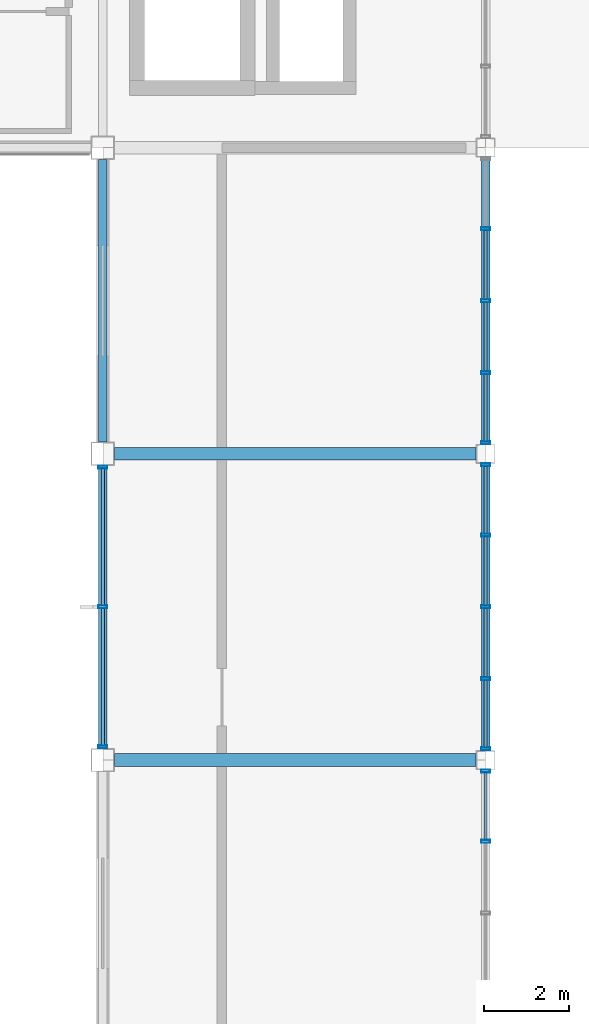
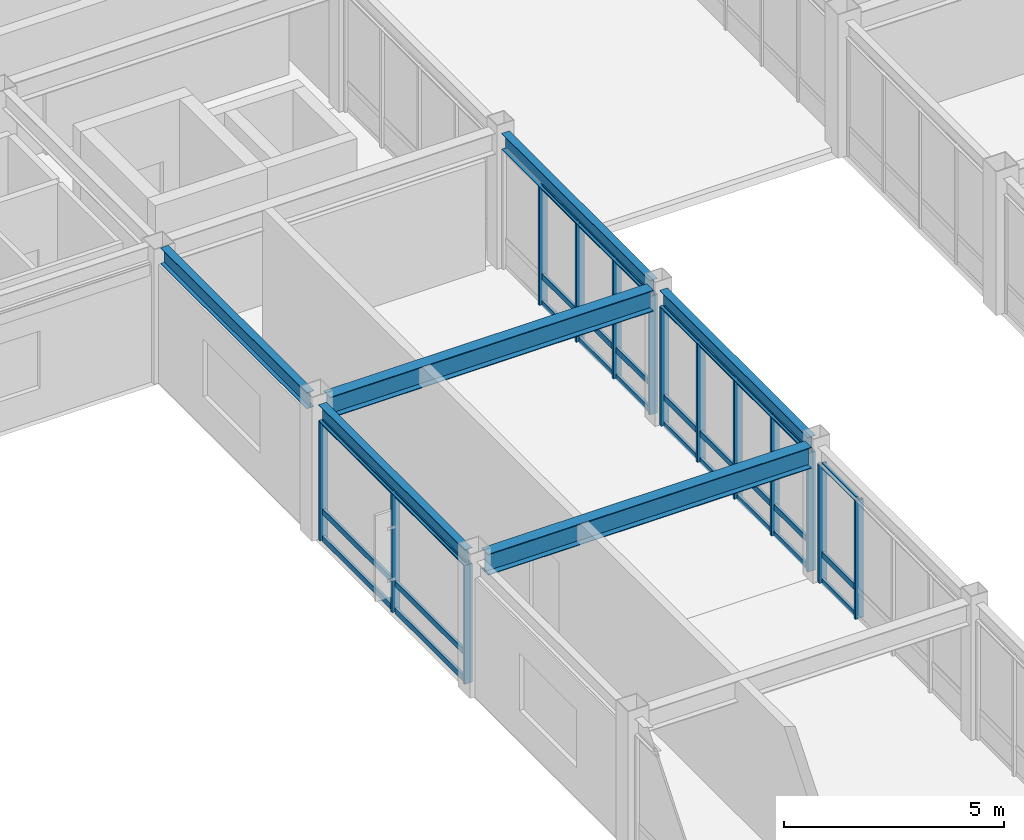
# One storey, part 49 of 113: 44 members, 6 beams, 4 elements without a shape of their own.
"""IFC4 building model written with IfcOpenShell, lengths in metres."""

import ifcopenshell
import ifcopenshell.guid

model = None  # the IFC model being written
_history = None  # IfcOwnerHistory: only IFC2X3 demands one
_inside = {}  # id of a spatial element -> (the spatial element, [elements in it])
_under = {}  # id of a project, library or spatial element -> (it, [spatial elements below it])
_declared = {}  # id of a project -> (the project, [libraries it declares])
_typed = {}  # id of a type object -> (the type object, [elements of that type])
_made_of = {}  # id of a material, layer set ... -> (it, [elements and type objects made of it])


def new_model(schema):
    """Start an empty IFC model of exactly this schema.

    Asked for "IFC4X3", IfcOpenShell would pick the latest addendum, in which some entities
    have other attributes; the version numbers below select the first issue.
    IFC2X3 requires an IfcOwnerHistory on every rooted entity: one is made here for all.
    """
    global model, _history
    if schema == "IFC4X3":
        model = ifcopenshell.file(schema_version=(4, 3, 0, 0))
    else:
        model = ifcopenshell.file(schema=schema)
    _inside.clear()
    _under.clear()
    _declared.clear()
    _typed.clear()
    _made_of.clear()
    _history = None
    if model.schema == "IFC2X3":
        org = make("IfcOrganization", Name="unknown")
        user = make(
            "IfcPersonAndOrganization",
            ThePerson=make("IfcPerson", FamilyName="unknown"),
            TheOrganization=org,
        )
        app = make(
            "IfcApplication",
            ApplicationDeveloper=org,
            Version="unknown",
            ApplicationFullName="unknown",
            ApplicationIdentifier="unknown",
        )
        _history = make(
            "IfcOwnerHistory",
            OwningUser=user,
            OwningApplication=app,
            ChangeAction="ADDED",
            CreationDate=0,
        )
    return model


def make(cls, **values):
    """One entity of the class cls with the attributes given. An attribute that is None is left unset."""
    return model.create_entity(
        cls, **{name: value for name, value in values.items() if value is not None}
    )


def rooted(cls, **values):
    """An entity with a GlobalId (a new one), such as an element, a storey or a relation."""
    return make(cls, GlobalId=ifcopenshell.guid.new(), OwnerHistory=_history, **values)


def si_unit(unit_type, name, prefix=None):
    """IfcSIUnit, for example si_unit("LENGTHUNIT", "METRE", prefix="MILLI")."""
    return make("IfcSIUnit", UnitType=unit_type, Prefix=prefix, Name=name)


def assignment(units):
    """IfcUnitAssignment: the units of a project."""
    return None if units is None else make("IfcUnitAssignment", Units=units)


def point(xyz):
    """IfcCartesianPoint."""
    return None if xyz is None else make("IfcCartesianPoint", Coordinates=xyz)


def direction(xyz):
    """IfcDirection."""
    return None if xyz is None else make("IfcDirection", DirectionRatios=xyz)


def frame(location, z_axis=None, x_axis=None):
    """IfcAxis2Placement3D, a coordinate frame: its origin and axes. An axis left out is left unset."""
    return make(
        "IfcAxis2Placement3D",
        Location=point(location),
        Axis=direction(z_axis),
        RefDirection=direction(x_axis),
    )


def frame_2d(location, x_axis=None):
    """IfcAxis2Placement2D, a coordinate frame in the plane: its origin and x axis."""
    return make(
        "IfcAxis2Placement2D", Location=point(location), RefDirection=direction(x_axis)
    )


def origin():
    """The frame at (0, 0, 0) with its axes left unset."""
    return frame((0.0, 0.0, 0.0))


def origin_2d():
    """The frame at (0, 0) in the plane with its x axis left unset."""
    return frame_2d((0.0, 0.0))


def place(relative_to, where):
    """IfcLocalPlacement: puts the frame where relative to a parent placement (None: the world)."""
    return make(
        "IfcLocalPlacement", PlacementRelTo=relative_to, RelativePlacement=where
    )


def context(
    kind, dimensions, precision=None, world=None, true_north=None, identifier=None
):
    """IfcGeometricRepresentationContext, for example the 3D "Model" context."""
    return make(
        "IfcGeometricRepresentationContext",
        ContextIdentifier=identifier,
        ContextType=kind,
        CoordinateSpaceDimension=dimensions,
        Precision=precision,
        WorldCoordinateSystem=world,
        TrueNorth=true_north,
    )


def subcontext(parent, identifier, kind, view, scale=None):
    """IfcGeometricRepresentationSubContext, for example "Body" below "Model"."""
    return make(
        "IfcGeometricRepresentationSubContext",
        ContextIdentifier=identifier,
        ContextType=kind,
        ParentContext=parent,
        TargetScale=scale,
        TargetView=view,
    )


def project(units=None, contexts=None):
    """IfcProject with its units and contexts."""
    return rooted(
        "IfcProject",
        Name="project",
        RepresentationContexts=contexts,
        UnitsInContext=assignment(units),
    )


def spatial(cls, under=None, at=None, **own):
    """A site, building, storey or space (cls), placed at a placement, below another one or the project."""
    s = rooted(cls, ObjectPlacement=at, **own)
    if under is not None:
        _under.setdefault(under.id(), (under, []))[1].append(s)
    return s


def profile(cls, at=None, kind="AREA", **sizes):
    """A parametric profile (cls). Its sizes go by their IFC names, for example OverallWidth=200.0."""
    return make(cls, ProfileType=kind, Position=at, **sizes)


def hollow_rectangle(**sizes):
    """IfcRectangleHollowProfileDef."""
    return profile("IfcRectangleHollowProfileDef", **sizes)


def i_section(**sizes):
    """IfcIShapeProfileDef."""
    return profile("IfcIShapeProfileDef", **sizes)


def extrude(swept, where, along, depth):
    """IfcExtrudedAreaSolid: the profile swept, set in the frame where, extruded along a direction by depth."""
    return make(
        "IfcExtrudedAreaSolid",
        SweptArea=swept,
        Position=where,
        ExtrudedDirection=direction(along),
        Depth=depth,
    )


def shape(context_of_items, identifier, shape_type, items):
    """IfcShapeRepresentation: the items that make up one representation, for example the "Body"."""
    return make(
        "IfcShapeRepresentation",
        ContextOfItems=context_of_items,
        RepresentationIdentifier=identifier,
        RepresentationType=shape_type,
        Items=items,
    )


def material(Name=None, Category=None):
    """IfcMaterial."""
    return make("IfcMaterial", Name=Name, Category=Category)


def material_profile(
    of_material, cross_section, Name=None, Category=None, Priority=None
):
    """IfcMaterialProfile: a cross section and its material."""
    return make(
        "IfcMaterialProfile",
        Name=Name,
        Material=of_material,
        Profile=cross_section,
        Priority=Priority,
        Category=Category,
    )


def profile_set(profiles, Name=None, composite=None):
    """IfcMaterialProfileSet."""
    return make(
        "IfcMaterialProfileSet",
        Name=Name,
        MaterialProfiles=profiles,
        CompositeProfile=composite,
    )


def made_of(thing, what):
    """Note that an element or type object is made of a material, layer set ...; save() writes the relation."""
    if what is not None:
        _made_of.setdefault(what.id(), (what, []))[1].append(thing)
    return thing


def type_object(cls, material=None, **own):
    """A type object (cls), such as IfcWallType, which elements share."""
    return made_of(rooted(cls, **own), material)


def element(
    cls,
    number,
    at=None,
    inside=None,
    cuts=None,
    type_object=None,
    material=None,
    context=None,
    identifier="Body",
    shape_type=None,
    held_by="IfcProductDefinitionShape",
    body=None,
    shapes=None,
    **own,
):
    """One element of the class cls, such as IfcWall. Its Tag is "e" and its number.

    at: its placement. inside: the storey or other place that contains it. cuts: it is an
    opening in that element (IfcRelVoidsElement). A single representation is given by context,
    identifier, shape_type and body (its items); several are given by shapes. held_by: the class
    of the entity that holds the representations. save() writes the other relations.
    """
    e = rooted(cls, Tag="e%d" % number, ObjectPlacement=at, **own)
    if body is not None:
        shapes = [shape(context, identifier, shape_type, body)]
    if shapes is not None:
        e.Representation = make(held_by, Representations=shapes)
    if inside is not None:
        _inside.setdefault(inside.id(), (inside, []))[1].append(e)
    if cuts is not None:
        rooted(
            "IfcRelVoidsElement", RelatingBuildingElement=cuts, RelatedOpeningElement=e
        )
    if type_object is not None:
        _typed.setdefault(type_object.id(), (type_object, []))[1].append(e)
    return made_of(e, material)


def aggregate(whole, parts):
    """IfcRelAggregates: a whole, such as a stair, and the parts it consists of."""
    return rooted("IfcRelAggregates", RelatingObject=whole, RelatedObjects=parts)


def save(model, path):
    """Write the relations noted so far, then the file.

    IfcRelAggregates (storeys below a building ...), IfcRelContainedInSpatialStructure (elements
    in a storey), IfcRelDefinesByType, IfcRelAssociatesMaterial and IfcRelDeclares: one each for
    every whole, place, type object, material and project.
    """
    for whole, parts in _under.values():
        aggregate(whole, parts)
    for where, things in _inside.values():
        rooted(
            "IfcRelContainedInSpatialStructure",
            RelatedElements=things,
            RelatingStructure=where,
        )
    for kind, things in _typed.values():
        rooted("IfcRelDefinesByType", RelatedObjects=things, RelatingType=kind)
    for what, things in _made_of.values():
        rooted("IfcRelAssociatesMaterial", RelatedObjects=things, RelatingMaterial=what)
    for by, libraries in _declared.values():
        rooted("IfcRelDeclares", RelatingContext=by, RelatedDefinitions=libraries)
    model.write(path)


model = new_model("IFC4")

# Units and contexts
model_context = context("Model", 3, precision=1e-05, world=origin(), true_north=direction((0.0, 1.0)))
body_context = subcontext(model_context, "Body", "Model", "MODEL_VIEW")
ifc_project = project(units=[si_unit("LENGTHUNIT", "METRE"), si_unit("AREAUNIT", "SQUARE_METRE"), si_unit("VOLUMEUNIT", "CUBIC_METRE"), si_unit("PLANEANGLEUNIT", "RADIAN"), si_unit("MASSUNIT", "GRAM", prefix="KILO")], contexts=[model_context])

# Site, building, storey
site_placement = place(None, origin())
site = spatial("IfcSite", under=ifc_project, at=site_placement, CompositionType="ELEMENT")
building_placement = place(site_placement, origin())
building = spatial("IfcBuilding", under=site, at=building_placement, Name="Kazanami Central Library", CompositionType="ELEMENT")
storey_placement = place(building_placement, frame((0.0, 0.0, 8.800048828125)))
storey = spatial("IfcBuildingStorey", under=building, at=storey_placement, Name="L03", CompositionType="ELEMENT", Elevation=8.800048828125)

# Beams
ifc_material_1 = material(Name="Steel SN490B (325 MPa)", Category="steel")
ifc_material_profile_1 = material_profile(ifc_material_1, i_section(OverallWidth=0.300048828125, OverallDepth=0.587890625, WebThickness=0.011962890625, FlangeThickness=0.02001953125, at=origin_2d()), Name="H-588x300x12x20")
ifc_profile_set_1 = profile_set([ifc_material_profile_1], Name="Steel SN490B (325 MPa)")
beam_type_1 = type_object("IfcBeamType", Name="BM-G-X2", PredefinedType="BEAM", material=ifc_profile_set_1)
for number, where, z_axis, x_axis, name in (
    (1, (99.27294921875, 50.39990234375, 3.450927734375), (1.0, 0.0, 0.0), (0.0, 1.0, 0.0), "Girder G-X2 L03 H/12-13"),
    (2, (99.27294921875, 57.60009765625, 3.450927734375), (1.0, 0.0, 0.0), (0.0, 1.0, 0.0), "Girder G-X2 L03 J/12-13"),
):
    element("IfcBeam", number, at=place(storey_placement, frame(where, z_axis=z_axis, x_axis=x_axis)), inside=storey, type_object=beam_type_1, Name=name, PredefinedType="BEAM", context=body_context, shape_type="SweptSolid", body=[
        extrude(i_section(OverallWidth=0.300048828125, OverallDepth=0.587890625, WebThickness=0.011962890625, FlangeThickness=0.02001953125, at=origin_2d()), origin(), (0.0, 0.0, 1.0), 8.504150390625),
    ])
ifc_material_profile_2 = material_profile(ifc_material_1, i_section(OverallWidth=0.199951171875, OverallDepth=0.449951171875, WebThickness=0.009033203125, FlangeThickness=0.013916015625, at=origin_2d()), Name="H-450x200x9x14")
ifc_profile_set_2 = profile_set([ifc_material_profile_2], Name="Steel SN490B (325 MPa)")
beam_type_2 = type_object("IfcBeamType", Name="BM-SP-2", PredefinedType="SPANDREL", material=ifc_profile_set_2)
beam_1_placement = place(storey_placement, frame((99.0, 50.673095703125, 3.52001953125), z_axis=(0.0, 1.0, 0.0), x_axis=(-1.0, 0.0, 0.0)))
element("IfcBeam", 3, at=beam_1_placement, inside=storey, type_object=beam_type_2, Name="Girder SP-2 L03 12/H-J", PredefinedType="SPANDREL", context=body_context, shape_type="SweptSolid", body=[
    extrude(i_section(OverallWidth=0.199951171875, OverallDepth=0.449951171875, WebThickness=0.009033203125, FlangeThickness=0.013916015625, at=origin_2d()), origin(), (0.0, 0.0, 1.0), 6.65380859375),
])
beam_2_placement = place(storey_placement, frame((99.0, 57.873046875, 3.52001953125), z_axis=(0.0, 1.0, 0.0), x_axis=(-1.0, 0.0, 0.0)))
element("IfcBeam", 4, at=beam_2_placement, inside=storey, type_object=beam_type_2, Name="Girder SP-2 L03 12/J-K", PredefinedType="SPANDREL", context=body_context, shape_type="SweptSolid", body=[
    extrude(i_section(OverallWidth=0.199951171875, OverallDepth=0.449951171875, WebThickness=0.009033203125, FlangeThickness=0.013916015625, at=origin_2d()), origin(), (0.0, 0.0, 1.0), 6.654052734375),
])
for number, where, z_axis, x_axis, name in (
    (5, (108.0, 50.623046875, 3.52001953125), (0.0, 1.0, 0.0), (-1.0, 0.0, 0.0), "Girder SP-2 L03 13/H-J"),
    (6, (108.0, 57.822998046875, 3.52001953125), (0.0, 1.0, 0.0), (-1.0, 0.0, 0.0), "Girder SP-2 L03 13/J-K"),
):
    element("IfcBeam", number, at=place(storey_placement, frame(where, z_axis=z_axis, x_axis=x_axis)), inside=storey, type_object=beam_type_2, Name=name, PredefinedType="SPANDREL", context=body_context, shape_type="SweptSolid", body=[
        extrude(i_section(OverallWidth=0.199951171875, OverallDepth=0.449951171875, WebThickness=0.009033203125, FlangeThickness=0.013916015625, at=origin_2d()), origin(), (0.0, 0.0, 1.0), 6.75390625),
    ])

# Curtain wall, members
ifc_material_2 = material(Name="Acid-Etched Low-E Laminated Glass", Category="glass")
curtain_wall_type_1 = type_object("IfcCurtainWallType", Name="CW-6650x3295-M275", PredefinedType="USERDEFINED", material=ifc_material_2)
curtain_wall_1_placement = place(storey_placement, origin())
curtain_wall_1 = element("IfcCurtainWall", 7, at=curtain_wall_1_placement, inside=storey, type_object=curtain_wall_type_1, Name="Unitised Curtain Wall CW-35 L03 W-12-07", ObjectType="UNITISED CURTAIN WALL", PredefinedType="USERDEFINED")
ifc_material_3 = material(Name="Anodised Aluminium A6063-T5", Category="aluminium")
ifc_material_profile_3 = material_profile(ifc_material_3, hollow_rectangle(XDim=0.070068359375, YDim=0.2099609375, WallThickness=0.0048828125, at=origin_2d()), Name="ALU-MULL-70x210x5")
ifc_profile_set_3 = profile_set([ifc_material_profile_3], Name="Anodised Aluminium A6063-T5")
member_type_1 = type_object("IfcMemberType", Name="MEM-CW-M1", PredefinedType="MULLION", material=ifc_profile_set_3)
member_1_placement = place(storey_placement, frame((99.0, 50.7099609375, 0.0), z_axis=(0.0, 0.0, 1.0), x_axis=(0.0, 1.0, 0.0)))
member_1 = element("IfcMember", 8, at=member_1_placement, type_object=member_type_1, Name="CW-35 mullion 1", PredefinedType="MULLION", context=body_context, shape_type="SweptSolid", body=[
    extrude(hollow_rectangle(XDim=0.070068359375, YDim=0.2099609375, WallThickness=0.0048828125, at=origin_2d()), origin(), (0.0, 0.0, 1.0), 3.294921875),
])
member_2_placement = place(storey_placement, frame((99.0, 54.0, 0.0), z_axis=(0.0, 0.0, 1.0), x_axis=(0.0, 1.0, 0.0)))
member_2 = element("IfcMember", 9, at=member_2_placement, type_object=member_type_1, Name="CW-35 mullion 2", PredefinedType="MULLION", context=body_context, shape_type="SweptSolid", body=[
    extrude(hollow_rectangle(XDim=0.070068359375, YDim=0.2099609375, WallThickness=0.0048828125, at=origin_2d()), origin(), (0.0, 0.0, 1.0), 3.294921875),
])
member_3_placement = place(storey_placement, frame((99.0, 57.2900390625, 0.0), z_axis=(0.0, 0.0, 1.0), x_axis=(0.0, 1.0, 0.0)))
member_3 = element("IfcMember", 10, at=member_3_placement, type_object=member_type_1, Name="CW-35 mullion 3", PredefinedType="MULLION", context=body_context, shape_type="SweptSolid", body=[
    extrude(hollow_rectangle(XDim=0.070068359375, YDim=0.2099609375, WallThickness=0.0048828125, at=origin_2d()), origin(), (0.0, 0.0, 1.0), 3.294921875),
])

curtain_wall_type_2 = type_object("IfcCurtainWallType", Name="CW-6750x3295-M180", PredefinedType="USERDEFINED", material=ifc_material_2)
curtain_wall_2_placement = place(storey_placement, origin())
curtain_wall_2 = element("IfcCurtainWall", 11, at=curtain_wall_2_placement, inside=storey, type_object=curtain_wall_type_2, Name="Covered Link Bridge Curtain Wall CW-32 L03 E-13-06", ObjectType="UNITISED CURTAIN WALL", PredefinedType="USERDEFINED")
member_4_placement = place(storey_placement, frame((108.0, 50.139892578125, 0.0), z_axis=(0.0, 0.0, 1.0), x_axis=(0.0, -1.0, 0.0)))
member_4 = element("IfcMember", 12, at=member_4_placement, type_object=member_type_1, Name="CW-32 mullion 1", PredefinedType="MULLION", context=body_context, shape_type="SweptSolid", body=[
    extrude(hollow_rectangle(XDim=0.070068359375, YDim=0.2099609375, WallThickness=0.0048828125, at=origin_2d()), origin(), (0.0, 0.0, 1.0), 3.294921875),
])
member_5_placement = place(storey_placement, frame((108.0, 48.487548828125, 0.0), z_axis=(0.0, 0.0, 1.0), x_axis=(0.0, -1.0, 0.0)))
member_5 = element("IfcMember", 13, at=member_5_placement, type_object=member_type_1, Name="CW-32 mullion 2", PredefinedType="MULLION", context=body_context, shape_type="SweptSolid", body=[
    extrude(hollow_rectangle(XDim=0.070068359375, YDim=0.2099609375, WallThickness=0.0048828125, at=origin_2d()), origin(), (0.0, 0.0, 1.0), 3.294921875),
])

curtain_wall_3_placement = place(storey_placement, origin())
curtain_wall_3 = element("IfcCurtainWall", 14, at=curtain_wall_3_placement, inside=storey, type_object=curtain_wall_type_2, Name="Covered Link Bridge Curtain Wall CW-32 L03 E-13-07", ObjectType="UNITISED CURTAIN WALL", PredefinedType="USERDEFINED")
member_6_placement = place(storey_placement, frame((108.0, 57.340087890625, 0.0), z_axis=(0.0, 0.0, 1.0), x_axis=(0.0, -1.0, 0.0)))
member_6 = element("IfcMember", 15, at=member_6_placement, type_object=member_type_1, Name="CW-32 mullion 1", PredefinedType="MULLION", context=body_context, shape_type="SweptSolid", body=[
    extrude(hollow_rectangle(XDim=0.070068359375, YDim=0.2099609375, WallThickness=0.0048828125, at=origin_2d()), origin(), (0.0, 0.0, 1.0), 3.294921875),
])
member_7_placement = place(storey_placement, frame((108.0, 55.6875, 0.0), z_axis=(0.0, 0.0, 1.0), x_axis=(0.0, -1.0, 0.0)))
member_7 = element("IfcMember", 16, at=member_7_placement, type_object=member_type_1, Name="CW-32 mullion 2", PredefinedType="MULLION", context=body_context, shape_type="SweptSolid", body=[
    extrude(hollow_rectangle(XDim=0.070068359375, YDim=0.2099609375, WallThickness=0.0048828125, at=origin_2d()), origin(), (0.0, 0.0, 1.0), 3.294921875),
])
member_8_placement = place(storey_placement, frame((108.0, 54.0, 0.0), z_axis=(0.0, 0.0, 1.0), x_axis=(0.0, -1.0, 0.0)))
member_8 = element("IfcMember", 17, at=member_8_placement, type_object=member_type_1, Name="CW-32 mullion 3", PredefinedType="MULLION", context=body_context, shape_type="SweptSolid", body=[
    extrude(hollow_rectangle(XDim=0.070068359375, YDim=0.2099609375, WallThickness=0.0048828125, at=origin_2d()), origin(), (0.0, 0.0, 1.0), 3.294921875),
])
member_9_placement = place(storey_placement, frame((108.0, 52.3125, 0.0), z_axis=(0.0, 0.0, 1.0), x_axis=(0.0, -1.0, 0.0)))
member_9 = element("IfcMember", 18, at=member_9_placement, type_object=member_type_1, Name="CW-32 mullion 4", PredefinedType="MULLION", context=body_context, shape_type="SweptSolid", body=[
    extrude(hollow_rectangle(XDim=0.070068359375, YDim=0.2099609375, WallThickness=0.0048828125, at=origin_2d()), origin(), (0.0, 0.0, 1.0), 3.294921875),
])
member_10_placement = place(storey_placement, frame((108.0, 50.659912109375, 0.0), z_axis=(0.0, 0.0, 1.0), x_axis=(0.0, -1.0, 0.0)))
member_10 = element("IfcMember", 19, at=member_10_placement, type_object=member_type_1, Name="CW-32 mullion 5", PredefinedType="MULLION", context=body_context, shape_type="SweptSolid", body=[
    extrude(hollow_rectangle(XDim=0.070068359375, YDim=0.2099609375, WallThickness=0.0048828125, at=origin_2d()), origin(), (0.0, 0.0, 1.0), 3.294921875),
])

curtain_wall_4_placement = place(storey_placement, origin())
curtain_wall_4 = element("IfcCurtainWall", 20, at=curtain_wall_4_placement, inside=storey, type_object=curtain_wall_type_2, Name="Covered Link Bridge Curtain Wall CW-32 L03 E-13-08", ObjectType="UNITISED CURTAIN WALL", PredefinedType="USERDEFINED")
member_11_placement = place(storey_placement, frame((108.0, 62.887451171875, 0.0), z_axis=(0.0, 0.0, 1.0), x_axis=(0.0, -1.0, 0.0)))
member_11 = element("IfcMember", 21, at=member_11_placement, type_object=member_type_1, Name="CW-32 mullion 2", PredefinedType="MULLION", context=body_context, shape_type="SweptSolid", body=[
    extrude(hollow_rectangle(XDim=0.070068359375, YDim=0.2099609375, WallThickness=0.0048828125, at=origin_2d()), origin(), (0.0, 0.0, 1.0), 3.294921875),
])
member_12_placement = place(storey_placement, frame((108.0, 61.199951171875, 0.0), z_axis=(0.0, 0.0, 1.0), x_axis=(0.0, -1.0, 0.0)))
member_12 = element("IfcMember", 22, at=member_12_placement, type_object=member_type_1, Name="CW-32 mullion 3", PredefinedType="MULLION", context=body_context, shape_type="SweptSolid", body=[
    extrude(hollow_rectangle(XDim=0.070068359375, YDim=0.2099609375, WallThickness=0.0048828125, at=origin_2d()), origin(), (0.0, 0.0, 1.0), 3.294921875),
])
member_13_placement = place(storey_placement, frame((108.0, 59.512451171875, 0.0), z_axis=(0.0, 0.0, 1.0), x_axis=(0.0, -1.0, 0.0)))
member_13 = element("IfcMember", 23, at=member_13_placement, type_object=member_type_1, Name="CW-32 mullion 4", PredefinedType="MULLION", context=body_context, shape_type="SweptSolid", body=[
    extrude(hollow_rectangle(XDim=0.070068359375, YDim=0.2099609375, WallThickness=0.0048828125, at=origin_2d()), origin(), (0.0, 0.0, 1.0), 3.294921875),
])
member_14_placement = place(storey_placement, frame((108.0, 57.860107421875, 0.0), z_axis=(0.0, 0.0, 1.0), x_axis=(0.0, -1.0, 0.0)))
member_14 = element("IfcMember", 24, at=member_14_placement, type_object=member_type_1, Name="CW-32 mullion 5", PredefinedType="MULLION", context=body_context, shape_type="SweptSolid", body=[
    extrude(hollow_rectangle(XDim=0.070068359375, YDim=0.2099609375, WallThickness=0.0048828125, at=origin_2d()), origin(), (0.0, 0.0, 1.0), 3.294921875),
])

# Member
ifc_material_profile_4 = material_profile(ifc_material_3, hollow_rectangle(XDim=0.070068359375, YDim=0.159912109375, WallThickness=0.00390625, at=origin_2d()), Name="ALU-TRAN-70x160x4")
ifc_profile_set_4 = profile_set([ifc_material_profile_4], Name="Anodised Aluminium A6063-T5")
member_type_2 = type_object("IfcMemberType", Name="MEM-CW-T1", PredefinedType="USERDEFINED", material=ifc_profile_set_4)
member_15_placement = place(storey_placement, frame((99.0, 50.7451171875, 0.034912109375), z_axis=(0.0, 1.0, 0.0), x_axis=(-1.0, 0.0, 0.0)))
member_15 = element("IfcMember", 25, at=member_15_placement, type_object=member_type_2, Name="CW-35 transom 1.1", ObjectType="TRANSOM", PredefinedType="USERDEFINED", context=body_context, shape_type="SweptSolid", body=[
    extrude(hollow_rectangle(XDim=0.070068359375, YDim=0.159912109375, WallThickness=0.00390625, at=origin_2d()), origin(), (0.0, 0.0, 1.0), 3.219970703125),
])

member_16_placement = place(storey_placement, frame((99.0, 50.7451171875, 0.780029296875), z_axis=(0.0, 1.0, 0.0), x_axis=(-1.0, 0.0, 0.0)))
member_16 = element("IfcMember", 26, at=member_16_placement, type_object=member_type_2, Name="CW-35 transom 1.2", ObjectType="TRANSOM", PredefinedType="USERDEFINED", context=body_context, shape_type="SweptSolid", body=[
    extrude(hollow_rectangle(XDim=0.070068359375, YDim=0.159912109375, WallThickness=0.00390625, at=origin_2d()), origin(), (0.0, 0.0, 1.0), 3.219970703125),
])

member_17_placement = place(storey_placement, frame((99.0, 50.7451171875, 3.260009765625), z_axis=(0.0, 1.0, 0.0), x_axis=(-1.0, 0.0, 0.0)))
member_17 = element("IfcMember", 27, at=member_17_placement, type_object=member_type_2, Name="CW-35 transom 1.3", ObjectType="TRANSOM", PredefinedType="USERDEFINED", context=body_context, shape_type="SweptSolid", body=[
    extrude(hollow_rectangle(XDim=0.070068359375, YDim=0.159912109375, WallThickness=0.00390625, at=origin_2d()), origin(), (0.0, 0.0, 1.0), 3.219970703125),
])

member_18_placement = place(storey_placement, frame((99.0, 54.034912109375, 0.034912109375), z_axis=(0.0, 1.0, 0.0), x_axis=(-1.0, 0.0, 0.0)))
member_18 = element("IfcMember", 28, at=member_18_placement, type_object=member_type_2, Name="CW-35 transom 2.1", ObjectType="TRANSOM", PredefinedType="USERDEFINED", context=body_context, shape_type="SweptSolid", body=[
    extrude(hollow_rectangle(XDim=0.070068359375, YDim=0.159912109375, WallThickness=0.00390625, at=origin_2d()), origin(), (0.0, 0.0, 1.0), 3.219970703125),
])

member_19_placement = place(storey_placement, frame((99.0, 54.034912109375, 0.780029296875), z_axis=(0.0, 1.0, 0.0), x_axis=(-1.0, 0.0, 0.0)))
member_19 = element("IfcMember", 29, at=member_19_placement, type_object=member_type_2, Name="CW-35 transom 2.2", ObjectType="TRANSOM", PredefinedType="USERDEFINED", context=body_context, shape_type="SweptSolid", body=[
    extrude(hollow_rectangle(XDim=0.070068359375, YDim=0.159912109375, WallThickness=0.00390625, at=origin_2d()), origin(), (0.0, 0.0, 1.0), 3.219970703125),
])

member_20_placement = place(storey_placement, frame((99.0, 54.034912109375, 3.260009765625), z_axis=(0.0, 1.0, 0.0), x_axis=(-1.0, 0.0, 0.0)))
member_20 = element("IfcMember", 30, at=member_20_placement, type_object=member_type_2, Name="CW-35 transom 2.3", ObjectType="TRANSOM", PredefinedType="USERDEFINED", context=body_context, shape_type="SweptSolid", body=[
    extrude(hollow_rectangle(XDim=0.070068359375, YDim=0.159912109375, WallThickness=0.00390625, at=origin_2d()), origin(), (0.0, 0.0, 1.0), 3.219970703125),
])

aggregate(curtain_wall_1, [member_1, member_2, member_3, member_15, member_16, member_17, member_18, member_19, member_20])

member_21_placement = place(storey_placement, frame((108.0, 50.10498046875, 0.034912109375), z_axis=(0.0, -1.0, 0.0), x_axis=(1.0, 0.0, 0.0)))
member_21 = element("IfcMember", 31, at=member_21_placement, type_object=member_type_2, Name="CW-32 transom 1.1", ObjectType="TRANSOM", PredefinedType="USERDEFINED", context=body_context, shape_type="SweptSolid", body=[
    extrude(hollow_rectangle(XDim=0.070068359375, YDim=0.159912109375, WallThickness=0.00390625, at=origin_2d()), origin(), (0.0, 0.0, 1.0), 1.58251953125),
])

member_22_placement = place(storey_placement, frame((108.0, 50.10498046875, 0.780029296875), z_axis=(0.0, -1.0, 0.0), x_axis=(1.0, 0.0, 0.0)))
member_22 = element("IfcMember", 32, at=member_22_placement, type_object=member_type_2, Name="CW-32 transom 1.2", ObjectType="TRANSOM", PredefinedType="USERDEFINED", context=body_context, shape_type="SweptSolid", body=[
    extrude(hollow_rectangle(XDim=0.070068359375, YDim=0.159912109375, WallThickness=0.00390625, at=origin_2d()), origin(), (0.0, 0.0, 1.0), 1.58251953125),
])

member_23_placement = place(storey_placement, frame((108.0, 50.10498046875, 3.260009765625), z_axis=(0.0, -1.0, 0.0), x_axis=(1.0, 0.0, 0.0)))
member_23 = element("IfcMember", 33, at=member_23_placement, type_object=member_type_2, Name="CW-32 transom 1.3", ObjectType="TRANSOM", PredefinedType="USERDEFINED", context=body_context, shape_type="SweptSolid", body=[
    extrude(hollow_rectangle(XDim=0.070068359375, YDim=0.159912109375, WallThickness=0.00390625, at=origin_2d()), origin(), (0.0, 0.0, 1.0), 1.58251953125),
])

aggregate(curtain_wall_2, [member_4, member_5, member_21, member_22, member_23])

member_24_placement = place(storey_placement, frame((108.0, 57.304931640625, 0.034912109375), z_axis=(0.0, -1.0, 0.0), x_axis=(1.0, 0.0, 0.0)))
member_24 = element("IfcMember", 34, at=member_24_placement, type_object=member_type_2, Name="CW-32 transom 1.1", ObjectType="TRANSOM", PredefinedType="USERDEFINED", context=body_context, shape_type="SweptSolid", body=[
    extrude(hollow_rectangle(XDim=0.070068359375, YDim=0.159912109375, WallThickness=0.00390625, at=origin_2d()), origin(), (0.0, 0.0, 1.0), 1.58251953125),
])

member_25_placement = place(storey_placement, frame((108.0, 57.304931640625, 0.780029296875), z_axis=(0.0, -1.0, 0.0), x_axis=(1.0, 0.0, 0.0)))
member_25 = element("IfcMember", 35, at=member_25_placement, type_object=member_type_2, Name="CW-32 transom 1.2", ObjectType="TRANSOM", PredefinedType="USERDEFINED", context=body_context, shape_type="SweptSolid", body=[
    extrude(hollow_rectangle(XDim=0.070068359375, YDim=0.159912109375, WallThickness=0.00390625, at=origin_2d()), origin(), (0.0, 0.0, 1.0), 1.58251953125),
])

member_26_placement = place(storey_placement, frame((108.0, 57.304931640625, 3.260009765625), z_axis=(0.0, -1.0, 0.0), x_axis=(1.0, 0.0, 0.0)))
member_26 = element("IfcMember", 36, at=member_26_placement, type_object=member_type_2, Name="CW-32 transom 1.3", ObjectType="TRANSOM", PredefinedType="USERDEFINED", context=body_context, shape_type="SweptSolid", body=[
    extrude(hollow_rectangle(XDim=0.070068359375, YDim=0.159912109375, WallThickness=0.00390625, at=origin_2d()), origin(), (0.0, 0.0, 1.0), 1.58251953125),
])

member_27_placement = place(storey_placement, frame((108.0, 55.652587890625, 0.034912109375), z_axis=(0.0, -1.0, 0.0), x_axis=(1.0, 0.0, 0.0)))
member_27 = element("IfcMember", 37, at=member_27_placement, type_object=member_type_2, Name="CW-32 transom 2.1", ObjectType="TRANSOM", PredefinedType="USERDEFINED", context=body_context, shape_type="SweptSolid", body=[
    extrude(hollow_rectangle(XDim=0.070068359375, YDim=0.159912109375, WallThickness=0.00390625, at=origin_2d()), origin(), (0.0, 0.0, 1.0), 1.61767578125),
])

member_28_placement = place(storey_placement, frame((108.0, 55.652587890625, 0.780029296875), z_axis=(0.0, -1.0, 0.0), x_axis=(1.0, 0.0, 0.0)))
member_28 = element("IfcMember", 38, at=member_28_placement, type_object=member_type_2, Name="CW-32 transom 2.2", ObjectType="TRANSOM", PredefinedType="USERDEFINED", context=body_context, shape_type="SweptSolid", body=[
    extrude(hollow_rectangle(XDim=0.070068359375, YDim=0.159912109375, WallThickness=0.00390625, at=origin_2d()), origin(), (0.0, 0.0, 1.0), 1.61767578125),
])

member_29_placement = place(storey_placement, frame((108.0, 55.652587890625, 3.260009765625), z_axis=(0.0, -1.0, 0.0), x_axis=(1.0, 0.0, 0.0)))
member_29 = element("IfcMember", 39, at=member_29_placement, type_object=member_type_2, Name="CW-32 transom 2.3", ObjectType="TRANSOM", PredefinedType="USERDEFINED", context=body_context, shape_type="SweptSolid", body=[
    extrude(hollow_rectangle(XDim=0.070068359375, YDim=0.159912109375, WallThickness=0.00390625, at=origin_2d()), origin(), (0.0, 0.0, 1.0), 1.61767578125),
])

member_30_placement = place(storey_placement, frame((108.0, 53.965087890625, 0.034912109375), z_axis=(0.0, -1.0, 0.0), x_axis=(1.0, 0.0, 0.0)))
member_30 = element("IfcMember", 40, at=member_30_placement, type_object=member_type_2, Name="CW-32 transom 3.1", ObjectType="TRANSOM", PredefinedType="USERDEFINED", context=body_context, shape_type="SweptSolid", body=[
    extrude(hollow_rectangle(XDim=0.070068359375, YDim=0.159912109375, WallThickness=0.00390625, at=origin_2d()), origin(), (0.0, 0.0, 1.0), 1.61767578125),
])

member_31_placement = place(storey_placement, frame((108.0, 53.965087890625, 0.780029296875), z_axis=(0.0, -1.0, 0.0), x_axis=(1.0, 0.0, 0.0)))
member_31 = element("IfcMember", 41, at=member_31_placement, type_object=member_type_2, Name="CW-32 transom 3.2", ObjectType="TRANSOM", PredefinedType="USERDEFINED", context=body_context, shape_type="SweptSolid", body=[
    extrude(hollow_rectangle(XDim=0.070068359375, YDim=0.159912109375, WallThickness=0.00390625, at=origin_2d()), origin(), (0.0, 0.0, 1.0), 1.61767578125),
])

member_32_placement = place(storey_placement, frame((108.0, 53.965087890625, 3.260009765625), z_axis=(0.0, -1.0, 0.0), x_axis=(1.0, 0.0, 0.0)))
member_32 = element("IfcMember", 42, at=member_32_placement, type_object=member_type_2, Name="CW-32 transom 3.3", ObjectType="TRANSOM", PredefinedType="USERDEFINED", context=body_context, shape_type="SweptSolid", body=[
    extrude(hollow_rectangle(XDim=0.070068359375, YDim=0.159912109375, WallThickness=0.00390625, at=origin_2d()), origin(), (0.0, 0.0, 1.0), 1.61767578125),
])

member_33_placement = place(storey_placement, frame((108.0, 52.277587890625, 0.034912109375), z_axis=(0.0, -1.0, 0.0), x_axis=(1.0, 0.0, 0.0)))
member_33 = element("IfcMember", 43, at=member_33_placement, type_object=member_type_2, Name="CW-32 transom 4.1", ObjectType="TRANSOM", PredefinedType="USERDEFINED", context=body_context, shape_type="SweptSolid", body=[
    extrude(hollow_rectangle(XDim=0.070068359375, YDim=0.159912109375, WallThickness=0.00390625, at=origin_2d()), origin(), (0.0, 0.0, 1.0), 1.58251953125),
])

member_34_placement = place(storey_placement, frame((108.0, 52.277587890625, 0.780029296875), z_axis=(0.0, -1.0, 0.0), x_axis=(1.0, 0.0, 0.0)))
member_34 = element("IfcMember", 44, at=member_34_placement, type_object=member_type_2, Name="CW-32 transom 4.2", ObjectType="TRANSOM", PredefinedType="USERDEFINED", context=body_context, shape_type="SweptSolid", body=[
    extrude(hollow_rectangle(XDim=0.070068359375, YDim=0.159912109375, WallThickness=0.00390625, at=origin_2d()), origin(), (0.0, 0.0, 1.0), 1.58251953125),
])

member_35_placement = place(storey_placement, frame((108.0, 52.277587890625, 3.260009765625), z_axis=(0.0, -1.0, 0.0), x_axis=(1.0, 0.0, 0.0)))
member_35 = element("IfcMember", 45, at=member_35_placement, type_object=member_type_2, Name="CW-32 transom 4.3", ObjectType="TRANSOM", PredefinedType="USERDEFINED", context=body_context, shape_type="SweptSolid", body=[
    extrude(hollow_rectangle(XDim=0.070068359375, YDim=0.159912109375, WallThickness=0.00390625, at=origin_2d()), origin(), (0.0, 0.0, 1.0), 1.58251953125),
])

aggregate(curtain_wall_3, [member_6, member_7, member_8, member_9, member_10, member_24, member_25, member_26, member_27, member_28, member_29, member_30, member_31, member_32, member_33, member_34, member_35])

member_36_placement = place(storey_placement, frame((108.0, 62.8525390625, 0.034912109375), z_axis=(0.0, -1.0, 0.0), x_axis=(1.0, 0.0, 0.0)))
member_36 = element("IfcMember", 46, at=member_36_placement, type_object=member_type_2, Name="CW-32 transom 2.1", ObjectType="TRANSOM", PredefinedType="USERDEFINED", context=body_context, shape_type="SweptSolid", body=[
    extrude(hollow_rectangle(XDim=0.070068359375, YDim=0.159912109375, WallThickness=0.00390625, at=origin_2d()), origin(), (0.0, 0.0, 1.0), 1.617431640625),
])

member_37_placement = place(storey_placement, frame((108.0, 62.8525390625, 0.780029296875), z_axis=(0.0, -1.0, 0.0), x_axis=(1.0, 0.0, 0.0)))
member_37 = element("IfcMember", 47, at=member_37_placement, type_object=member_type_2, Name="CW-32 transom 2.2", ObjectType="TRANSOM", PredefinedType="USERDEFINED", context=body_context, shape_type="SweptSolid", body=[
    extrude(hollow_rectangle(XDim=0.070068359375, YDim=0.159912109375, WallThickness=0.00390625, at=origin_2d()), origin(), (0.0, 0.0, 1.0), 1.617431640625),
])

member_38_placement = place(storey_placement, frame((108.0, 62.8525390625, 3.260009765625), z_axis=(0.0, -1.0, 0.0), x_axis=(1.0, 0.0, 0.0)))
member_38 = element("IfcMember", 48, at=member_38_placement, type_object=member_type_2, Name="CW-32 transom 2.3", ObjectType="TRANSOM", PredefinedType="USERDEFINED", context=body_context, shape_type="SweptSolid", body=[
    extrude(hollow_rectangle(XDim=0.070068359375, YDim=0.159912109375, WallThickness=0.00390625, at=origin_2d()), origin(), (0.0, 0.0, 1.0), 1.617431640625),
])

member_39_placement = place(storey_placement, frame((108.0, 61.1650390625, 0.034912109375), z_axis=(0.0, -1.0, 0.0), x_axis=(1.0, 0.0, 0.0)))
member_39 = element("IfcMember", 49, at=member_39_placement, type_object=member_type_2, Name="CW-32 transom 3.1", ObjectType="TRANSOM", PredefinedType="USERDEFINED", context=body_context, shape_type="SweptSolid", body=[
    extrude(hollow_rectangle(XDim=0.070068359375, YDim=0.159912109375, WallThickness=0.00390625, at=origin_2d()), origin(), (0.0, 0.0, 1.0), 1.617431640625),
])

member_40_placement = place(storey_placement, frame((108.0, 61.1650390625, 0.780029296875), z_axis=(0.0, -1.0, 0.0), x_axis=(1.0, 0.0, 0.0)))
member_40 = element("IfcMember", 50, at=member_40_placement, type_object=member_type_2, Name="CW-32 transom 3.2", ObjectType="TRANSOM", PredefinedType="USERDEFINED", context=body_context, shape_type="SweptSolid", body=[
    extrude(hollow_rectangle(XDim=0.070068359375, YDim=0.159912109375, WallThickness=0.00390625, at=origin_2d()), origin(), (0.0, 0.0, 1.0), 1.617431640625),
])

member_41_placement = place(storey_placement, frame((108.0, 61.1650390625, 3.260009765625), z_axis=(0.0, -1.0, 0.0), x_axis=(1.0, 0.0, 0.0)))
member_41 = element("IfcMember", 51, at=member_41_placement, type_object=member_type_2, Name="CW-32 transom 3.3", ObjectType="TRANSOM", PredefinedType="USERDEFINED", context=body_context, shape_type="SweptSolid", body=[
    extrude(hollow_rectangle(XDim=0.070068359375, YDim=0.159912109375, WallThickness=0.00390625, at=origin_2d()), origin(), (0.0, 0.0, 1.0), 1.617431640625),
])

member_42_placement = place(storey_placement, frame((108.0, 59.4775390625, 0.034912109375), z_axis=(0.0, -1.0, 0.0), x_axis=(1.0, 0.0, 0.0)))
member_42 = element("IfcMember", 52, at=member_42_placement, type_object=member_type_2, Name="CW-32 transom 4.1", ObjectType="TRANSOM", PredefinedType="USERDEFINED", context=body_context, shape_type="SweptSolid", body=[
    extrude(hollow_rectangle(XDim=0.070068359375, YDim=0.159912109375, WallThickness=0.00390625, at=origin_2d()), origin(), (0.0, 0.0, 1.0), 1.58251953125),
])

member_43_placement = place(storey_placement, frame((108.0, 59.4775390625, 0.780029296875), z_axis=(0.0, -1.0, 0.0), x_axis=(1.0, 0.0, 0.0)))
member_43 = element("IfcMember", 53, at=member_43_placement, type_object=member_type_2, Name="CW-32 transom 4.2", ObjectType="TRANSOM", PredefinedType="USERDEFINED", context=body_context, shape_type="SweptSolid", body=[
    extrude(hollow_rectangle(XDim=0.070068359375, YDim=0.159912109375, WallThickness=0.00390625, at=origin_2d()), origin(), (0.0, 0.0, 1.0), 1.58251953125),
])

member_44_placement = place(storey_placement, frame((108.0, 59.4775390625, 3.260009765625), z_axis=(0.0, -1.0, 0.0), x_axis=(1.0, 0.0, 0.0)))
member_44 = element("IfcMember", 54, at=member_44_placement, type_object=member_type_2, Name="CW-32 transom 4.3", ObjectType="TRANSOM", PredefinedType="USERDEFINED", context=body_context, shape_type="SweptSolid", body=[
    extrude(hollow_rectangle(XDim=0.070068359375, YDim=0.159912109375, WallThickness=0.00390625, at=origin_2d()), origin(), (0.0, 0.0, 1.0), 1.58251953125),
])

aggregate(curtain_wall_4, [member_11, member_12, member_13, member_14, member_36, member_37, member_38, member_39, member_40, member_41, member_42, member_43, member_44])

save(model, "model.ifc")
